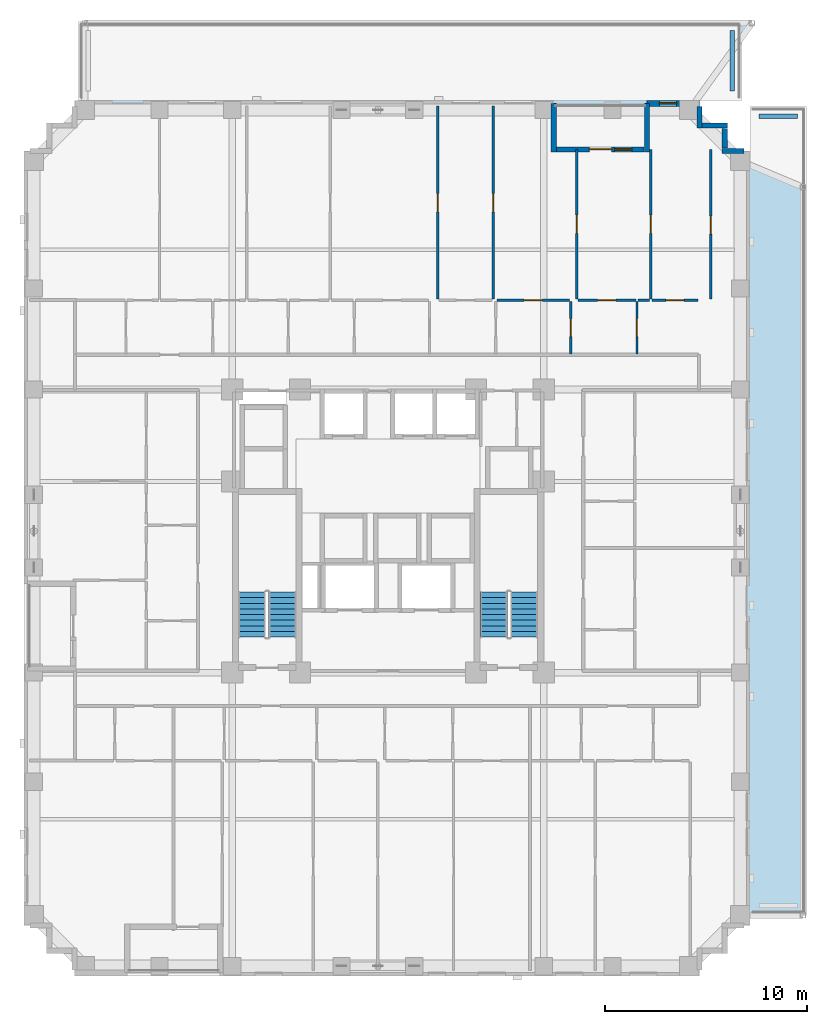
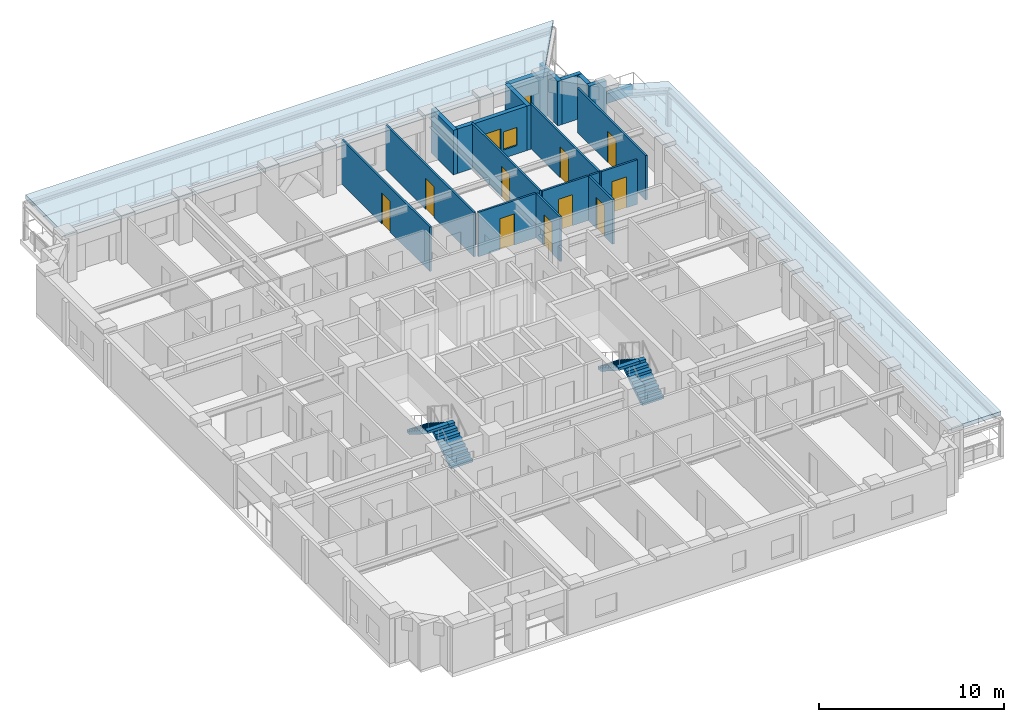
# One storey, part 12 of 16: 21 walls, 11 doors, 4 stair flights, 2 roofs, 2 windows, 13 openings, 2 elements without a shape of their own.
"""IFC4 building model written with IfcOpenShell, lengths in metres."""

from ifc_helpers import new_model, si_unit, derived_unit, direction, frame, frame_2d, origin, place, context, subcontext, project, spatial, polyline, rectangle, outline, extrude, material, layer, layer_set, type_object, element, fill, aggregate, save


model = new_model("IFC4")

# Units and contexts
model_context = context("Model", 3, precision=1e-05, world=origin(), true_north=direction((0.0, 1.0)))
body_context = subcontext(model_context, "Body", "Model", "MODEL_VIEW")
ifc_project = project(units=[si_unit("LENGTHUNIT", "METRE"), si_unit("AREAUNIT", "SQUARE_METRE"), si_unit("VOLUMEUNIT", "CUBIC_METRE"), si_unit("PLANEANGLEUNIT", "RADIAN"), si_unit("MASSUNIT", "GRAM", prefix="KILO"), derived_unit("THERMALTRANSMITTANCEUNIT", [(si_unit("MASSUNIT", "GRAM", prefix="KILO"), 1), (si_unit("TIMEUNIT", "SECOND"), -3), (si_unit("THERMODYNAMICTEMPERATUREUNIT", "KELVIN"), -1)])], contexts=[model_context])

# Site, building, storey
site_placement = place(None, origin())
site = spatial("IfcSite", under=ifc_project, at=site_placement, CompositionType="ELEMENT")
building_placement = place(site_placement, origin())
building = spatial("IfcBuilding", under=site, at=building_placement, Name="Korrvale Station Residences", CompositionType="ELEMENT")
storey_placement = place(building_placement, frame((0.0, 0.0, 75.10009765625)))
storey = spatial("IfcBuildingStorey", under=building, at=storey_placement, Name="L20", CompositionType="ELEMENT", Elevation=75.10009765625)

# Wall
ifc_material_1 = material(Name="Precast concrete C45/55", Category="concrete")
ifc_layer_1 = layer(ifc_material_1, 0.260009765625, Name="Precast concrete C45/55")
ifc_layer_set_1 = layer_set([ifc_layer_1], Name="Precast concrete C45/55")
wall_type_1 = type_object("IfcWallType", Name="WAL-EXT-LOG260", PredefinedType="SOLIDWALL", material=ifc_layer_set_1)
wall_1_placement = place(storey_placement, frame((33.699951171875, 43.139892578125, 0.0), z_axis=(0.0, 0.0, 1.0), x_axis=(0.0, -1.0, 0.0)))
element("IfcWall", 1, at=wall_1_placement, inside=storey, type_object=wall_type_1, Name="L20 Recessed Loggia Wall BAL-L20-N1-L", PredefinedType="SOLIDWALL", context=body_context, shape_type="SweptSolid", body=[
    extrude(rectangle(XDim=2.39990234375, YDim=0.260009765625, at=frame_2d((1.199951171875, 0.0))), origin(), (0.0, 0.0, 1.0), 2.93994140625),
])

# Wall, openings, door, window
wall_2_placement = place(storey_placement, frame((33.833984375, 40.8701171875, 0.0), z_axis=(0.0, 0.0, 1.0), x_axis=(1.0, 0.0, 0.0)))
wall_2 = element("IfcWall", 2, at=wall_2_placement, inside=storey, type_object=wall_type_1, Name="L20 Recessed Loggia Wall BAL-L20-N1-B", PredefinedType="SOLIDWALL", context=body_context, shape_type="SweptSolid", body=[
    extrude(rectangle(XDim=4.33203125, YDim=0.260009765625, at=frame_2d((2.166015625, 0.0))), origin(), (0.0, 0.0, 1.0), 2.93994140625),
])
opening_1_placement = place(wall_2_placement, frame((1.615966796875, 0.0, 0.0)))
opening_1 = element("IfcOpeningElement", 3, at=opening_1_placement, cuts=wall_2, Name="Opening BD-01", PredefinedType="OPENING", context=body_context, shape_type="SweptSolid", body=[
    extrude(rectangle(XDim=1.10009765625, YDim=2.0, at=frame_2d((0.550048828125, 1.0))), frame((0.0, 0.14013671875, 0.0), z_axis=(0.0, -1.0, 0.0), x_axis=(1.0, 0.0, 0.0)), (0.0, 0.0, 1.0), 0.280029296875),
])
opening_2_placement = place(wall_2_placement, frame((2.8759765625, 0.0, 0.550048828125)))
opening_2 = element("IfcOpeningElement", 4, at=opening_2_placement, cuts=wall_2, Name="Opening W-11", PredefinedType="OPENING", context=body_context, shape_type="SweptSolid", body=[
    extrude(rectangle(XDim=0.85009765625, YDim=1.199951171875, at=frame_2d((0.425048828125, 0.60009765625))), frame((0.0, 0.14013671875, 0.0), z_axis=(0.0, -1.0, 0.0), x_axis=(1.0, 0.0, 0.0)), (0.0, 0.0, 1.0), 0.280029296875),
])
ifc_material_2 = material(Name="Exterior thermally broken aluminium glazed balcony door", Category="aluminium")
door_type_1 = type_object("IfcDoorType", Name="DR-EXT-BAL", OperationType="NOTDEFINED", PredefinedType="DOOR", material=ifc_material_2)
door_1_placement = place(opening_1_placement, origin())
door_1 = element("IfcDoor", 5, at=door_1_placement, inside=storey, type_object=door_type_1, Name="L20 Loggia Balcony Door BAL-L20-N1", OperationType="SINGLE_SWING_LEFT", OverallHeight=2.0, OverallWidth=1.10009765625, PredefinedType="DOOR", context=body_context, shape_type="SweptSolid", body=[
    extrude(rectangle(XDim=1.10009765625, YDim=2.0, at=frame_2d((0.550048828125, 1.0))), frame((0.0, 0.02490234375, 0.0), z_axis=(0.0, -1.0, 0.0), x_axis=(1.0, 0.0, 0.0)), (0.0, 0.0, 1.0), 0.050048828125),
])
fill(opening_1, door_1)
ifc_material_3 = material(Name="Thermally broken aluminium frame with triple low-e glazing", Category="aluminium")
window_type = type_object("IfcWindowType", Name="WIN-W11", PartitioningType="SINGLE_PANEL", PredefinedType="WINDOW", material=ifc_material_3)
window_1_placement = place(opening_2_placement, origin())
window_1 = element("IfcWindow", 6, at=window_1_placement, inside=storey, type_object=window_type, Name="L20 Punched Window 16", OverallHeight=1.199951171875, OverallWidth=0.85009765625, PartitioningType="SINGLE_PANEL", PredefinedType="WINDOW", context=body_context, shape_type="SweptSolid", body=[
    extrude(rectangle(XDim=0.85009765625, YDim=1.199951171875, at=frame_2d((0.425048828125, 0.60009765625))), frame((0.0, 0.030029296875, 0.0), z_axis=(0.0, -1.0, 0.0), x_axis=(1.0, 0.0, 0.0)), (0.0, 0.0, 1.0), 0.06005859375),
])
fill(opening_2, window_1)

# Walls
wall_3_placement = place(storey_placement, frame((38.300048828125, 40.739990234375, 0.0), z_axis=(0.0, 0.0, 1.0), x_axis=(0.0, 1.0, 0.0)))
element("IfcWall", 7, at=wall_3_placement, inside=storey, type_object=wall_type_1, Name="L20 Recessed Loggia Wall BAL-L20-N1-R", PredefinedType="SOLIDWALL", context=body_context, shape_type="SweptSolid", body=[
    extrude(rectangle(XDim=2.39990234375, YDim=0.260009765625, at=frame_2d((1.199951171875, 0.0))), origin(), (0.0, 0.0, 1.0), 2.93994140625),
])
wall_4_placement = place(storey_placement, frame((40.89990234375, 42.998046875, 0.0), z_axis=(0.0, 0.0, 1.0), x_axis=(0.0, -1.0, 0.0)))
element("IfcWall", 8, at=wall_4_placement, inside=storey, type_object=wall_type_1, Name="L20 Serrated Corner Precast Step NE-1", PredefinedType="SOLIDWALL", context=body_context, shape_type="SweptSolid", body=[
    extrude(rectangle(XDim=1.078125, YDim=0.260009765625, at=frame_2d((0.5390625, 0.0))), origin(), (0.0, 0.0, 1.0), 2.93994140625),
])
wall_5_placement = place(storey_placement, frame((41.031982421875, 42.050048828125, 0.0), z_axis=(0.0, 0.0, 1.0), x_axis=(1.0, 0.0, 0.0)))
element("IfcWall", 9, at=wall_5_placement, inside=storey, type_object=wall_type_1, Name="L20 Serrated Corner Precast Step NE-2", PredefinedType="SOLIDWALL", context=body_context, shape_type="SweptSolid", body=[
    extrude(rectangle(XDim=1.248046875, YDim=0.260009765625, at=frame_2d((0.6240234375, 0.0))), origin(), (0.0, 0.0, 1.0), 2.93994140625),
])
wall_6_placement = place(storey_placement, frame((42.14990234375, 41.91796875, 0.0), z_axis=(0.0, 0.0, 1.0), x_axis=(0.0, -1.0, 0.0)))
element("IfcWall", 10, at=wall_6_placement, inside=storey, type_object=wall_type_1, Name="L20 Serrated Corner Precast Step NE-3", PredefinedType="SOLIDWALL", context=body_context, shape_type="SweptSolid", body=[
    extrude(rectangle(XDim=0.986083984375, YDim=0.260009765625, at=frame_2d((0.4931640625, 0.0))), origin(), (0.0, 0.0, 1.0), 2.93994140625),
])
wall_7_placement = place(storey_placement, frame((42.02001953125, 40.800048828125, 0.0), z_axis=(0.0, 0.0, 1.0), x_axis=(1.0, 0.0, 0.0)))
element("IfcWall", 11, at=wall_7_placement, inside=storey, type_object=wall_type_1, Name="L20 Serrated Corner Precast Step NE-4", PredefinedType="SOLIDWALL", context=body_context, shape_type="SweptSolid", body=[
    extrude(rectangle(XDim=1.077880859375, YDim=0.260009765625, at=frame_2d((0.5390625, 0.0))), origin(), (0.0, 0.0, 1.0), 2.93994140625),
])

# Wall, opening, window
ifc_layer_2 = layer(ifc_material_1, 0.300048828125, Name="Precast concrete C45/55")
ifc_layer_set_2 = layer_set([ifc_layer_2], Name="Precast concrete C45/55")
wall_type_2 = type_object("IfcWallType", Name="WAL-EXT-PC300", PredefinedType="SOLIDWALL", material=ifc_layer_set_2)
wall_8_placement = place(storey_placement, frame((38.300048828125, 43.14990234375, 0.0), z_axis=(0.0, 0.0, 1.0), x_axis=(1.0, 0.0, 0.0)))
wall_8 = element("IfcWall", 12, at=wall_8_placement, inside=storey, type_object=wall_type_2, Name="L20 North Exterior Precast Wall 2", PredefinedType="SOLIDWALL", context=body_context, shape_type="SweptSolid", body=[
    extrude(rectangle(XDim=2.599853515625, YDim=0.300048828125, at=frame_2d((1.2998046875, 0.0))), origin(), (0.0, 0.0, 1.0), 2.93994140625),
])
opening_3_placement = place(wall_8_placement, frame((0.614990234375, 0.0, 0.550048828125)))
opening_3 = element("IfcOpeningElement", 13, at=opening_3_placement, cuts=wall_8, Name="Opening W-11", PredefinedType="OPENING", context=body_context, shape_type="SweptSolid", body=[
    extrude(rectangle(XDim=0.85009765625, YDim=1.199951171875, at=frame_2d((0.425048828125, 0.60009765625))), frame((0.0, 0.16015625, 0.0), z_axis=(0.0, -1.0, 0.0), x_axis=(1.0, 0.0, 0.0)), (0.0, 0.0, 1.0), 0.320068359375),
])
window_2_placement = place(opening_3_placement, origin())
window_2 = element("IfcWindow", 14, at=window_2_placement, inside=storey, type_object=window_type, Name="L20 Punched Window 17", OverallHeight=1.199951171875, OverallWidth=0.85009765625, PartitioningType="SINGLE_PANEL", PredefinedType="WINDOW", context=body_context, shape_type="SweptSolid", body=[
    extrude(rectangle(XDim=0.85009765625, YDim=1.199951171875, at=frame_2d((0.425048828125, 0.60009765625))), frame((0.0, 0.030029296875, 0.0), z_axis=(0.0, -1.0, 0.0), x_axis=(1.0, 0.0, 0.0)), (0.0, 0.0, 1.0), 0.06005859375),
])
fill(opening_3, window_2)

# Walls
ifc_layer_3 = layer(ifc_material_1, 0.219970703125, Name="Precast concrete C45/55")
ifc_layer_set_3 = layer_set([ifc_layer_3], Name="Precast concrete C45/55")
wall_type_3 = type_object("IfcWallType", Name="WAL-PAR-220", PredefinedType="PARAPET", material=ifc_layer_set_3)
wall_9_placement = place(storey_placement, frame((42.52001953125, 43.75, 0.0), z_axis=(0.0, 0.0, 1.0), x_axis=(0.0, 1.0, 0.0)))
element("IfcWall", 15, at=wall_9_placement, inside=storey, type_object=wall_type_3, Name="L20 Terrace Planter Parapet TER-L20-N-E", PredefinedType="PARAPET", context=body_context, shape_type="SweptSolid", body=[
    extrude(rectangle(XDim=3.0, YDim=0.219970703125, at=frame_2d((1.5, 0.0))), origin(), (0.0, 0.0, 1.0), 0.64990234375),
])
wall_10_placement = place(storey_placement, frame((43.85009765625, 42.52001953125, 0.0), z_axis=(0.0, 0.0, 1.0), x_axis=(1.0, 0.0, 0.0)))
element("IfcWall", 16, at=wall_10_placement, inside=storey, type_object=wall_type_3, Name="L20 Terrace Planter Parapet TER-L20-E-N", PredefinedType="PARAPET", context=body_context, shape_type="SweptSolid", body=[
    extrude(rectangle(XDim=1.89990234375, YDim=0.219970703125, at=frame_2d((0.949951171875, 0.0))), origin(), (0.0, 0.0, 1.0), 0.64990234375),
])

# Wall, opening, door
ifc_material_4 = material(Name="Acoustic steel-stud gypsum board partition", Category="steel")
ifc_layer_4 = layer(ifc_material_4, 0.1201171875, Name="Acoustic steel-stud gypsum board partition")
ifc_layer_set_4 = layer_set([ifc_layer_4], Name="Acoustic steel-stud gypsum board partition")
wall_type_4 = type_object("IfcWallType", Name="WAL-PART-125", PredefinedType="PARTITIONING", material=ifc_layer_set_4)
wall_11_placement = place(storey_placement, frame((34.5400390625, 30.760009765625, 0.0), z_axis=(0.0, 0.0, 1.0), x_axis=(0.0, 1.0, 0.0)))
wall_11 = element("IfcWall", 17, at=wall_11_placement, inside=storey, type_object=wall_type_4, Name="L20 Suite Partition U04-V67", PredefinedType="PARTITIONING", context=body_context, shape_type="SweptSolid", body=[
    extrude(rectangle(XDim=2.60009765625, YDim=0.1201171875, at=frame_2d((1.300048828125, 0.0))), origin(), (0.0, 0.0, 1.0), 2.93994140625),
])
opening_4_placement = place(wall_11_placement, frame((0.85009765625, 0.0, 0.0)))
opening_4 = element("IfcOpeningElement", 18, at=opening_4_placement, cuts=wall_11, Name="Opening DI-900", PredefinedType="OPENING", context=body_context, shape_type="SweptSolid", body=[
    extrude(rectangle(XDim=0.89990234375, YDim=2.050048828125, at=frame_2d((0.449951171875, 1.02490234375))), frame((0.0, 0.070068359375, 0.0), z_axis=(0.0, -1.0, 0.0), x_axis=(1.0, 0.0, 0.0)), (0.0, 0.0, 1.0), 0.14013671875),
])
ifc_material_5 = material(Name="Painted solid-core timber interior room door", Category="wood")
door_type_2 = type_object("IfcDoorType", Name="DR-INT-900", OperationType="NOTDEFINED", PredefinedType="DOOR", material=ifc_material_5)
door_2_placement = place(opening_4_placement, origin())
door_2 = element("IfcDoor", 19, at=door_2_placement, inside=storey, type_object=door_type_2, Name="L20 Apartment 3BR L20-U04 Storage Closet 5 Door", OperationType="SINGLE_SWING_LEFT", OverallHeight=2.050048828125, OverallWidth=0.89990234375, PredefinedType="DOOR", context=body_context, shape_type="SweptSolid", body=[
    extrude(rectangle(XDim=0.89990234375, YDim=2.050048828125, at=frame_2d((0.449951171875, 1.02490234375))), frame((0.0, 0.02490234375, 0.0), z_axis=(0.0, -1.0, 0.0), x_axis=(1.0, 0.0, 0.0)), (0.0, 0.0, 1.0), 0.050048828125),
])
fill(opening_4, door_2)

wall_12_placement = place(storey_placement, frame((30.8798828125, 33.419921875, 0.0), z_axis=(0.0, 0.0, 1.0), x_axis=(1.0, 0.0, 0.0)))
wall_12 = element("IfcWall", 20, at=wall_12_placement, inside=storey, type_object=wall_type_4, Name="L20 Suite Partition U04-H614", PredefinedType="PARTITIONING", context=body_context, shape_type="SweptSolid", body=[
    extrude(rectangle(XDim=3.60009765625, YDim=0.1201171875, at=frame_2d((1.800048828125, 0.0))), origin(), (0.0, 0.0, 1.0), 2.93994140625),
])
opening_5_placement = place(wall_12_placement, frame((1.35009765625, 0.0, 0.0)))
opening_5 = element("IfcOpeningElement", 21, at=opening_5_placement, cuts=wall_12, Name="Opening DI-900", PredefinedType="OPENING", context=body_context, shape_type="SweptSolid", body=[
    extrude(rectangle(XDim=0.89990234375, YDim=2.050048828125, at=frame_2d((0.449951171875, 1.02490234375))), frame((0.0, 0.070068359375, 0.0), z_axis=(0.0, -1.0, 0.0), x_axis=(1.0, 0.0, 0.0)), (0.0, 0.0, 1.0), 0.14013671875),
])
door_3_placement = place(opening_5_placement, origin())
door_3 = element("IfcDoor", 22, at=door_3_placement, inside=storey, type_object=door_type_2, Name="L20 Apartment 3BR L20-U04 Storage Closet 5 Door", OperationType="SINGLE_SWING_RIGHT", OverallHeight=2.050048828125, OverallWidth=0.89990234375, PredefinedType="DOOR", context=body_context, shape_type="SweptSolid", body=[
    extrude(rectangle(XDim=0.89990234375, YDim=2.050048828125, at=frame_2d((0.449951171875, 1.02490234375))), frame((0.0, 0.02490234375, 0.0), z_axis=(0.0, -1.0, 0.0), x_axis=(1.0, 0.0, 0.0)), (0.0, 0.0, 1.0), 0.050048828125),
])
fill(opening_5, door_3)

wall_13_placement = place(storey_placement, frame((37.81005859375, 30.760009765625, 0.0), z_axis=(0.0, 0.0, 1.0), x_axis=(0.0, 1.0, 0.0)))
wall_13 = element("IfcWall", 23, at=wall_13_placement, inside=storey, type_object=wall_type_4, Name="L20 Suite Partition U04-V78", PredefinedType="PARTITIONING", context=body_context, shape_type="SweptSolid", body=[
    extrude(rectangle(XDim=2.60009765625, YDim=0.1201171875, at=frame_2d((1.300048828125, 0.0))), origin(), (0.0, 0.0, 1.0), 2.93994140625),
])
opening_6_placement = place(wall_13_placement, frame((0.85009765625, 0.0, 0.0)))
opening_6 = element("IfcOpeningElement", 24, at=opening_6_placement, cuts=wall_13, Name="Opening DI-900", PredefinedType="OPENING", context=body_context, shape_type="SweptSolid", body=[
    extrude(rectangle(XDim=0.89990234375, YDim=2.050048828125, at=frame_2d((0.449951171875, 1.02490234375))), frame((0.0, 0.070068359375, 0.0), z_axis=(0.0, -1.0, 0.0), x_axis=(1.0, 0.0, 0.0)), (0.0, 0.0, 1.0), 0.14013671875),
])
door_4_placement = place(opening_6_placement, origin())
door_4 = element("IfcDoor", 25, at=door_4_placement, inside=storey, type_object=door_type_2, Name="L20 Apartment 3BR L20-U04 Storage Closet 6 Door", OperationType="SINGLE_SWING_LEFT", OverallHeight=2.050048828125, OverallWidth=0.89990234375, PredefinedType="DOOR", context=body_context, shape_type="SweptSolid", body=[
    extrude(rectangle(XDim=0.89990234375, YDim=2.050048828125, at=frame_2d((0.449951171875, 1.02490234375))), frame((0.0, 0.02490234375, 0.0), z_axis=(0.0, -1.0, 0.0), x_axis=(1.0, 0.0, 0.0)), (0.0, 0.0, 1.0), 0.050048828125),
])
fill(opening_6, door_4)

wall_14_placement = place(storey_placement, frame((34.889892578125, 33.419921875, 0.0), z_axis=(0.0, 0.0, 1.0), x_axis=(1.0, 0.0, 0.0)))
wall_14 = element("IfcWall", 26, at=wall_14_placement, inside=storey, type_object=wall_type_4, Name="L20 Suite Partition U04-H715", PredefinedType="PARTITIONING", context=body_context, shape_type="SweptSolid", body=[
    extrude(rectangle(XDim=2.860107421875, YDim=0.1201171875, at=frame_2d((1.43017578125, 0.0))), origin(), (0.0, 0.0, 1.0), 2.93994140625),
])
opening_7_placement = place(wall_14_placement, frame((0.97998046875, 0.0, 0.0)))
opening_7 = element("IfcOpeningElement", 27, at=opening_7_placement, cuts=wall_14, Name="Opening DI-900", PredefinedType="OPENING", context=body_context, shape_type="SweptSolid", body=[
    extrude(rectangle(XDim=0.89990234375, YDim=2.050048828125, at=frame_2d((0.449951171875, 1.02490234375))), frame((0.0, 0.070068359375, 0.0), z_axis=(0.0, -1.0, 0.0), x_axis=(1.0, 0.0, 0.0)), (0.0, 0.0, 1.0), 0.14013671875),
])
door_5_placement = place(opening_7_placement, origin())
door_5 = element("IfcDoor", 28, at=door_5_placement, inside=storey, type_object=door_type_2, Name="L20 Apartment 3BR L20-U04 Storage Closet 6 Door", OperationType="SINGLE_SWING_RIGHT", OverallHeight=2.050048828125, OverallWidth=0.89990234375, PredefinedType="DOOR", context=body_context, shape_type="SweptSolid", body=[
    extrude(rectangle(XDim=0.89990234375, YDim=2.050048828125, at=frame_2d((0.449951171875, 1.02490234375))), frame((0.0, 0.02490234375, 0.0), z_axis=(0.0, -1.0, 0.0), x_axis=(1.0, 0.0, 0.0)), (0.0, 0.0, 1.0), 0.050048828125),
])
fill(opening_7, door_5)

# Wall
wall_15_placement = place(storey_placement, frame((37.8701171875, 33.419921875, 0.0), z_axis=(0.0, 0.0, 1.0), x_axis=(1.0, 0.0, 0.0)))
element("IfcWall", 29, at=wall_15_placement, inside=storey, type_object=wall_type_4, Name="L20 Suite Partition U04-H815", PredefinedType="PARTITIONING", context=body_context, shape_type="SweptSolid", body=[
    extrude(rectangle(XDim=0.56982421875, YDim=0.1201171875, at=frame_2d((0.284912109375, 0.0))), origin(), (0.0, 0.0, 1.0), 2.93994140625),
])

# Wall, opening, door
wall_16_placement = place(storey_placement, frame((38.56005859375, 33.419921875, 0.0), z_axis=(0.0, 0.0, 1.0), x_axis=(1.0, 0.0, 0.0)))
wall_16 = element("IfcWall", 30, at=wall_16_placement, inside=storey, type_object=wall_type_4, Name="L20 Suite Partition U04-H816", PredefinedType="PARTITIONING", context=body_context, shape_type="SweptSolid", body=[
    extrude(rectangle(XDim=2.260009765625, YDim=0.1201171875, at=frame_2d((1.1298828125, 0.0))), origin(), (0.0, 0.0, 1.0), 2.93994140625),
])
opening_8_placement = place(wall_16_placement, frame((0.679931640625, 0.0, 0.0)))
opening_8 = element("IfcOpeningElement", 31, at=opening_8_placement, cuts=wall_16, Name="Opening DI-900", PredefinedType="OPENING", context=body_context, shape_type="SweptSolid", body=[
    extrude(rectangle(XDim=0.89990234375, YDim=2.050048828125, at=frame_2d((0.449951171875, 1.02490234375))), frame((0.0, 0.070068359375, 0.0), z_axis=(0.0, -1.0, 0.0), x_axis=(1.0, 0.0, 0.0)), (0.0, 0.0, 1.0), 0.14013671875),
])
door_6_placement = place(opening_8_placement, origin())
door_6 = element("IfcDoor", 32, at=door_6_placement, inside=storey, type_object=door_type_2, Name="L20 Apartment 3BR L20-U04 Storage Closet 7 Door", OperationType="SINGLE_SWING_LEFT", OverallHeight=2.050048828125, OverallWidth=0.89990234375, PredefinedType="DOOR", context=body_context, shape_type="SweptSolid", body=[
    extrude(rectangle(XDim=0.89990234375, YDim=2.050048828125, at=frame_2d((0.449951171875, 1.02490234375))), frame((0.0, 0.02490234375, 0.0), z_axis=(0.0, -1.0, 0.0), x_axis=(1.0, 0.0, 0.0)), (0.0, 0.0, 1.0), 0.050048828125),
])
fill(opening_8, door_6)

wall_17_placement = place(storey_placement, frame((27.9599609375, 33.47998046875, 0.0), z_axis=(0.0, 0.0, 1.0), x_axis=(0.0, 1.0, 0.0)))
wall_17 = element("IfcWall", 33, at=wall_17_placement, inside=storey, type_object=wall_type_4, Name="L20 Suite Partition U04-V1213", PredefinedType="PARTITIONING", context=body_context, shape_type="SweptSolid", body=[
    extrude(rectangle(XDim=9.5400390625, YDim=0.1201171875, at=frame_2d((4.77001953125, 0.0))), origin(), (0.0, 0.0, 1.0), 2.93994140625),
])
opening_9_placement = place(wall_17_placement, frame((4.304931640625, 0.0, 0.0)))
opening_9 = element("IfcOpeningElement", 34, at=opening_9_placement, cuts=wall_17, Name="Opening DI-900", PredefinedType="OPENING", context=body_context, shape_type="SweptSolid", body=[
    extrude(rectangle(XDim=0.89990234375, YDim=2.050048828125, at=frame_2d((0.449951171875, 1.02490234375))), frame((0.0, 0.070068359375, 0.0), z_axis=(0.0, -1.0, 0.0), x_axis=(1.0, 0.0, 0.0)), (0.0, 0.0, 1.0), 0.14013671875),
])
door_7_placement = place(opening_9_placement, origin())
door_7 = element("IfcDoor", 35, at=door_7_placement, inside=storey, type_object=door_type_2, Name="L20 Apartment 3BR L20-U04 Wardrobe Storage Room Door", OperationType="SINGLE_SWING_LEFT", OverallHeight=2.050048828125, OverallWidth=0.89990234375, PredefinedType="DOOR", context=body_context, shape_type="SweptSolid", body=[
    extrude(rectangle(XDim=0.89990234375, YDim=2.050048828125, at=frame_2d((0.449951171875, 1.02490234375))), frame((0.0, 0.02490234375, 0.0), z_axis=(0.0, -1.0, 0.0), x_axis=(1.0, 0.0, 0.0)), (0.0, 0.0, 1.0), 0.050048828125),
])
fill(opening_9, door_7)

wall_18_placement = place(storey_placement, frame((30.7099609375, 33.47998046875, 0.0), z_axis=(0.0, 0.0, 1.0), x_axis=(0.0, 1.0, 0.0)))
wall_18 = element("IfcWall", 36, at=wall_18_placement, inside=storey, type_object=wall_type_4, Name="L20 Suite Partition U04-V1314", PredefinedType="PARTITIONING", context=body_context, shape_type="SweptSolid", body=[
    extrude(rectangle(XDim=9.5400390625, YDim=0.1201171875, at=frame_2d((4.77001953125, 0.0))), origin(), (0.0, 0.0, 1.0), 2.93994140625),
])
opening_10_placement = place(wall_18_placement, frame((4.304931640625, 0.0, 0.0)))
opening_10 = element("IfcOpeningElement", 37, at=opening_10_placement, cuts=wall_18, Name="Opening DI-900", PredefinedType="OPENING", context=body_context, shape_type="SweptSolid", body=[
    extrude(rectangle(XDim=0.89990234375, YDim=2.050048828125, at=frame_2d((0.449951171875, 1.02490234375))), frame((0.0, 0.070068359375, 0.0), z_axis=(0.0, -1.0, 0.0), x_axis=(1.0, 0.0, 0.0)), (0.0, 0.0, 1.0), 0.14013671875),
])
door_8_placement = place(opening_10_placement, origin())
door_8 = element("IfcDoor", 38, at=door_8_placement, inside=storey, type_object=door_type_2, Name="L20 Apartment 3BR L20-U04 Private Library Study Door", OperationType="SINGLE_SWING_RIGHT", OverallHeight=2.050048828125, OverallWidth=0.89990234375, PredefinedType="DOOR", context=body_context, shape_type="SweptSolid", body=[
    extrude(rectangle(XDim=0.89990234375, YDim=2.050048828125, at=frame_2d((0.449951171875, 1.02490234375))), frame((0.0, 0.02490234375, 0.0), z_axis=(0.0, -1.0, 0.0), x_axis=(1.0, 0.0, 0.0)), (0.0, 0.0, 1.0), 0.050048828125),
])
fill(opening_10, door_8)

wall_19_placement = place(storey_placement, frame((34.830078125, 33.47998046875, 0.0), z_axis=(0.0, 0.0, 1.0), x_axis=(0.0, 1.0, 0.0)))
wall_19 = element("IfcWall", 39, at=wall_19_placement, inside=storey, type_object=wall_type_4, Name="L20 Suite Partition U04-V1415", PredefinedType="PARTITIONING", context=body_context, shape_type="SweptSolid", body=[
    extrude(rectangle(XDim=7.39013671875, YDim=0.1201171875, at=frame_2d((3.695068359375, 0.0))), origin(), (0.0, 0.0, 1.0), 2.93994140625),
])
opening_11_placement = place(wall_19_placement, frame((3.2451171875, 0.0, 0.0)))
opening_11 = element("IfcOpeningElement", 40, at=opening_11_placement, cuts=wall_19, Name="Opening DI-900", PredefinedType="OPENING", context=body_context, shape_type="SweptSolid", body=[
    extrude(rectangle(XDim=0.89990234375, YDim=2.050048828125, at=frame_2d((0.449951171875, 1.02490234375))), frame((0.0, 0.070068359375, 0.0), z_axis=(0.0, -1.0, 0.0), x_axis=(1.0, 0.0, 0.0)), (0.0, 0.0, 1.0), 0.14013671875),
])
door_9_placement = place(opening_11_placement, origin())
door_9 = element("IfcDoor", 41, at=door_9_placement, inside=storey, type_object=door_type_2, Name="L20 Apartment 3BR L20-U04 Bedroom 1 Door", OperationType="SINGLE_SWING_LEFT", OverallHeight=2.050048828125, OverallWidth=0.89990234375, PredefinedType="DOOR", context=body_context, shape_type="SweptSolid", body=[
    extrude(rectangle(XDim=0.89990234375, YDim=2.050048828125, at=frame_2d((0.449951171875, 1.02490234375))), frame((0.0, 0.02490234375, 0.0), z_axis=(0.0, -1.0, 0.0), x_axis=(1.0, 0.0, 0.0)), (0.0, 0.0, 1.0), 0.050048828125),
])
fill(opening_11, door_9)

wall_20_placement = place(storey_placement, frame((38.5, 33.47998046875, 0.0), z_axis=(0.0, 0.0, 1.0), x_axis=(0.0, 1.0, 0.0)))
wall_20 = element("IfcWall", 42, at=wall_20_placement, inside=storey, type_object=wall_type_4, Name="L20 Suite Partition U04-V1516", PredefinedType="PARTITIONING", context=body_context, shape_type="SweptSolid", body=[
    extrude(rectangle(XDim=7.39013671875, YDim=0.1201171875, at=frame_2d((3.695068359375, 0.0))), origin(), (0.0, 0.0, 1.0), 2.93994140625),
])
opening_12_placement = place(wall_20_placement, frame((3.2451171875, 0.0, 0.0)))
opening_12 = element("IfcOpeningElement", 43, at=opening_12_placement, cuts=wall_20, Name="Opening DI-900", PredefinedType="OPENING", context=body_context, shape_type="SweptSolid", body=[
    extrude(rectangle(XDim=0.89990234375, YDim=2.050048828125, at=frame_2d((0.449951171875, 1.02490234375))), frame((0.0, 0.070068359375, 0.0), z_axis=(0.0, -1.0, 0.0), x_axis=(1.0, 0.0, 0.0)), (0.0, 0.0, 1.0), 0.14013671875),
])
door_10_placement = place(opening_12_placement, origin())
door_10 = element("IfcDoor", 44, at=door_10_placement, inside=storey, type_object=door_type_2, Name="L20 Apartment 3BR L20-U04 Bedroom 2 Door", OperationType="SINGLE_SWING_RIGHT", OverallHeight=2.050048828125, OverallWidth=0.89990234375, PredefinedType="DOOR", context=body_context, shape_type="SweptSolid", body=[
    extrude(rectangle(XDim=0.89990234375, YDim=2.050048828125, at=frame_2d((0.449951171875, 1.02490234375))), frame((0.0, 0.02490234375, 0.0), z_axis=(0.0, -1.0, 0.0), x_axis=(1.0, 0.0, 0.0)), (0.0, 0.0, 1.0), 0.050048828125),
])
fill(opening_12, door_10)

wall_21_placement = place(storey_placement, frame((41.449951171875, 33.47998046875, 0.0), z_axis=(0.0, 0.0, 1.0), x_axis=(0.0, 1.0, 0.0)))
wall_21 = element("IfcWall", 45, at=wall_21_placement, inside=storey, type_object=wall_type_4, Name="L20 Suite Partition U04-V1617", PredefinedType="PARTITIONING", context=body_context, shape_type="SweptSolid", body=[
    extrude(rectangle(XDim=7.39013671875, YDim=0.1201171875, at=frame_2d((3.695068359375, 0.0))), origin(), (0.0, 0.0, 1.0), 2.93994140625),
])
opening_13_placement = place(wall_21_placement, frame((3.199951171875, 0.0, 0.0)))
opening_13 = element("IfcOpeningElement", 46, at=opening_13_placement, cuts=wall_21, Name="Opening DI-900", PredefinedType="OPENING", context=body_context, shape_type="SweptSolid", body=[
    extrude(rectangle(XDim=0.89990234375, YDim=2.050048828125, at=frame_2d((0.449951171875, 1.02490234375))), frame((0.0, 0.070068359375, 0.0), z_axis=(0.0, -1.0, 0.0), x_axis=(1.0, 0.0, 0.0)), (0.0, 0.0, 1.0), 0.14013671875),
])
door_11_placement = place(opening_13_placement, origin())
door_11 = element("IfcDoor", 47, at=door_11_placement, inside=storey, type_object=door_type_2, Name="L20 Apartment 3BR L20-U04 Bedroom 3 Door", OperationType="SINGLE_SWING_LEFT", OverallHeight=2.050048828125, OverallWidth=0.89990234375, PredefinedType="DOOR", context=body_context, shape_type="SweptSolid", body=[
    extrude(rectangle(XDim=0.89990234375, YDim=2.050048828125, at=frame_2d((0.449951171875, 1.02490234375))), frame((0.0, 0.02490234375, 0.0), z_axis=(0.0, -1.0, 0.0), x_axis=(1.0, 0.0, 0.0)), (0.0, 0.0, 1.0), 0.050048828125),
])
fill(opening_13, door_11)

# Stair, stair flights
ifc_material_6 = material(Name="Concrete C50/60", Category="concrete")
stair_type = type_object("IfcStairType", Name="STR-DL-1350-18R-1778", PredefinedType="HALF_TURN_STAIR", material=ifc_material_6)
stair_1_placement = place(storey_placement, origin())
stair_1 = element("IfcStair", 48, at=stair_1_placement, inside=storey, type_object=stair_type, Name="L20 Exit Stair 1", PredefinedType="HALF_TURN_STAIR")
stair_flight_type = type_object("IfcStairFlightType", Name="FLT-DL-1350-18R-1778", PredefinedType="STRAIGHT", material=ifc_material_6)
stair_flight_1_placement = place(storey_placement, frame((20.27490234375, 16.75, 0.0), z_axis=(0.0, 0.0, 1.0), x_axis=(0.0, 1.0, 0.0)))
stair_flight_1 = element("IfcStairFlight", 49, at=stair_flight_1_placement, type_object=stair_flight_type, Name="ST-1 flight 1", NumberOfRisers=9, NumberOfTreads=8, PredefinedType="STRAIGHT", RiserHeight=0.177777778, TreadLength=0.28, context=body_context, shape_type="SweptSolid", body=[
    extrude(outline(polyline([(0.0, 0.0), (0.0, 0.177734375), (0.280029296875, 0.177734375), (0.280029296875, 0.35546875), (0.56005859375, 0.35546875), (0.56005859375, 0.533447265625), (0.840087890625, 0.533447265625), (0.840087890625, 0.711181640625), (1.1201171875, 0.711181640625), (1.1201171875, 0.888916015625), (1.39990234375, 0.888916015625), (1.39990234375, 1.066650390625), (1.679931640625, 1.066650390625), (1.679931640625, 1.244384765625), (1.9599609375, 1.244384765625), (1.9599609375, 1.422119140625), (2.239990234375, 1.422119140625), (2.239990234375, 1.60009765625), (2.239990234375, 1.24462890625), (0.27978515625, 0.0), (0.0, 0.0)])), frame((0.0, 0.675048828125, 0.0), z_axis=(0.0, -1.0, 0.0), x_axis=(1.0, 0.0, 0.0)), (0.0, 0.0, 1.0), 1.35009765625),
])
stair_flight_2_placement = place(storey_placement, frame((18.77490234375, 18.989990234375, 1.599853515625), z_axis=(0.0, 0.0, 1.0), x_axis=(0.0, -1.0, 0.0)))
stair_flight_2 = element("IfcStairFlight", 50, at=stair_flight_2_placement, type_object=stair_flight_type, Name="ST-1 flight 2", NumberOfRisers=9, NumberOfTreads=8, PredefinedType="STRAIGHT", RiserHeight=0.177777778, TreadLength=0.28, context=body_context, shape_type="SweptSolid", body=[
    extrude(outline(polyline([(0.0, 0.0), (0.0, 0.177734375), (0.280029296875, 0.177734375), (0.280029296875, 0.35546875), (0.56005859375, 0.35546875), (0.56005859375, 0.533447265625), (0.840087890625, 0.533447265625), (0.840087890625, 0.711181640625), (1.1201171875, 0.711181640625), (1.1201171875, 0.888916015625), (1.39990234375, 0.888916015625), (1.39990234375, 1.066650390625), (1.679931640625, 1.066650390625), (1.679931640625, 1.244384765625), (1.9599609375, 1.244384765625), (1.9599609375, 1.422119140625), (2.239990234375, 1.422119140625), (2.239990234375, 1.60009765625), (2.239990234375, 1.24462890625), (0.27978515625, 0.0), (0.0, 0.0)])), frame((0.0, 0.675048828125, 0.0), z_axis=(0.0, -1.0, 0.0), x_axis=(1.0, 0.0, 0.0)), (0.0, 0.0, 1.0), 1.35009765625),
])
aggregate(stair_1, [stair_flight_1, stair_flight_2])

stair_2_placement = place(storey_placement, origin())
stair_2 = element("IfcStair", 51, at=stair_2_placement, inside=storey, type_object=stair_type, Name="L20 Exit Stair 2", PredefinedType="HALF_TURN_STAIR")
stair_flight_3_placement = place(storey_placement, frame((32.22509765625, 16.75, 0.0), z_axis=(0.0, 0.0, 1.0), x_axis=(0.0, 1.0, 0.0)))
stair_flight_3 = element("IfcStairFlight", 52, at=stair_flight_3_placement, type_object=stair_flight_type, Name="ST-2 flight 1", NumberOfRisers=9, NumberOfTreads=8, PredefinedType="STRAIGHT", RiserHeight=0.177777778, TreadLength=0.28, context=body_context, shape_type="SweptSolid", body=[
    extrude(outline(polyline([(0.0, 0.0), (0.0, 0.177734375), (0.280029296875, 0.177734375), (0.280029296875, 0.35546875), (0.56005859375, 0.35546875), (0.56005859375, 0.533447265625), (0.840087890625, 0.533447265625), (0.840087890625, 0.711181640625), (1.1201171875, 0.711181640625), (1.1201171875, 0.888916015625), (1.39990234375, 0.888916015625), (1.39990234375, 1.066650390625), (1.679931640625, 1.066650390625), (1.679931640625, 1.244384765625), (1.9599609375, 1.244384765625), (1.9599609375, 1.422119140625), (2.239990234375, 1.422119140625), (2.239990234375, 1.60009765625), (2.239990234375, 1.24462890625), (0.27978515625, 0.0), (0.0, 0.0)])), frame((0.0, 0.675048828125, 0.0), z_axis=(0.0, -1.0, 0.0), x_axis=(1.0, 0.0, 0.0)), (0.0, 0.0, 1.0), 1.35009765625),
])
stair_flight_4_placement = place(storey_placement, frame((30.72509765625, 18.989990234375, 1.599853515625), z_axis=(0.0, 0.0, 1.0), x_axis=(0.0, -1.0, 0.0)))
stair_flight_4 = element("IfcStairFlight", 53, at=stair_flight_4_placement, type_object=stair_flight_type, Name="ST-2 flight 2", NumberOfRisers=9, NumberOfTreads=8, PredefinedType="STRAIGHT", RiserHeight=0.177777778, TreadLength=0.28, context=body_context, shape_type="SweptSolid", body=[
    extrude(outline(polyline([(0.0, 0.0), (0.0, 0.177734375), (0.280029296875, 0.177734375), (0.280029296875, 0.35546875), (0.56005859375, 0.35546875), (0.56005859375, 0.533447265625), (0.840087890625, 0.533447265625), (0.840087890625, 0.711181640625), (1.1201171875, 0.711181640625), (1.1201171875, 0.888916015625), (1.39990234375, 0.888916015625), (1.39990234375, 1.066650390625), (1.679931640625, 1.066650390625), (1.679931640625, 1.244384765625), (1.9599609375, 1.244384765625), (1.9599609375, 1.422119140625), (2.239990234375, 1.422119140625), (2.239990234375, 1.60009765625), (2.239990234375, 1.24462890625), (0.27978515625, 0.0), (0.0, 0.0)])), frame((0.0, 0.675048828125, 0.0), z_axis=(0.0, -1.0, 0.0), x_axis=(1.0, 0.0, 0.0)), (0.0, 0.0, 1.0), 1.35009765625),
])
aggregate(stair_2, [stair_flight_3, stair_flight_4])

# Roofs
ifc_layer_5 = layer(ifc_material_6, 0.25, Name="Concrete C50/60")
ifc_layer_set_5 = layer_set([ifc_layer_5], Name="Concrete C50/60")
roof_type = type_object("IfcRoofType", Name="ROOF-FLAT-250", PredefinedType="FLAT_ROOF", material=ifc_layer_set_5)
roof_1_placement = place(storey_placement, frame((0.0, 0.0, 2.64990234375)))
element("IfcRoof", 54, at=roof_1_placement, inside=storey, type_object=roof_type, Name="L20 Frame-Carried Setback Terrace Flat Roof TER-L20-N", PredefinedType="FLAT_ROOF", context=body_context, shape_type="SweptSolid", body=[
    extrude(outline(polyline([(10.5, 47.1201171875), (43.5, 47.1201171875), (40.39990234375, 42.820068359375), (10.5, 42.820068359375), (10.5, 47.1201171875)])), origin(), (0.0, 0.0, 1.0), 0.25),
])
roof_2_placement = place(storey_placement, frame((0.0, 0.0, 2.64990234375)))
element("IfcRoof", 55, at=roof_2_placement, inside=storey, type_object=roof_type, Name="L20 Frame-Carried Setback Terrace Flat Roof TER-L20-E", PredefinedType="FLAT_ROOF", context=body_context, shape_type="SweptSolid", body=[
    extrude(outline(polyline([(46.02001953125, 3.0), (46.02001953125, 39.0), (42.919921875, 40.300048828125), (42.919921875, 3.0), (46.02001953125, 3.0)])), origin(), (0.0, 0.0, 1.0), 0.25),
])

save(model, "model.ifc")
